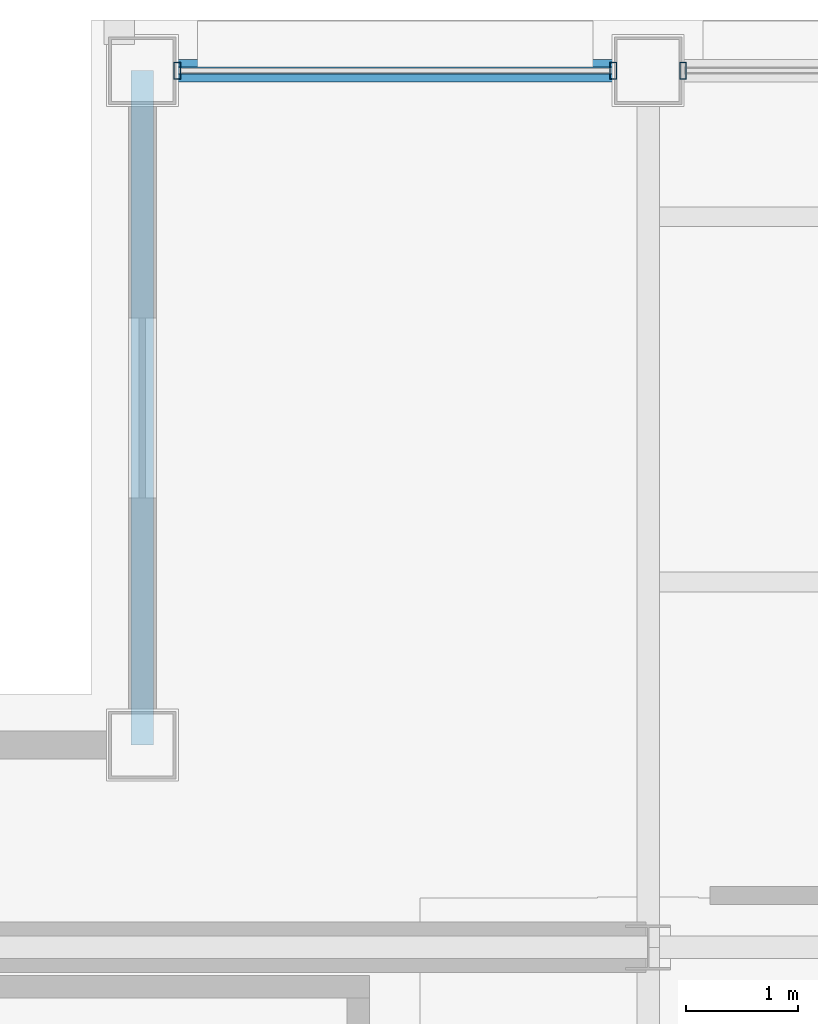
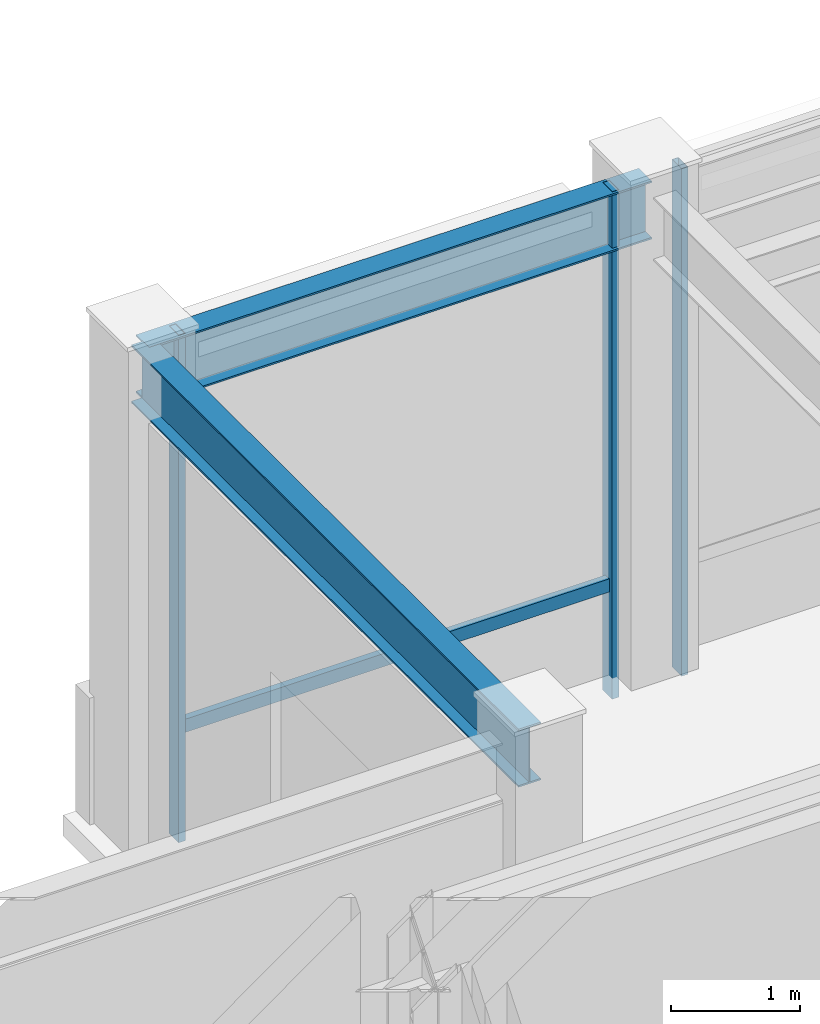
# One storey, part 13 of 21: 4 members, 2 beams, 2 elements without a shape of their own.
"""IFC4 building model written with IfcOpenShell, lengths in metres."""

from ifc_helpers import new_model, si_unit, direction, frame, origin, origin_2d, place, context, subcontext, project, spatial, hollow_rectangle, i_section, extrude, material, layer, layer_set, material_profile, profile_set, type_object, element, aggregate, save


model = new_model("IFC4")

# Units and contexts
model_context = context("Model", 3, precision=1e-05, world=origin(), true_north=direction((0.0, 1.0)))
body_context = subcontext(model_context, "Body", "Model", "MODEL_VIEW")
ifc_project = project(units=[si_unit("LENGTHUNIT", "METRE"), si_unit("AREAUNIT", "SQUARE_METRE"), si_unit("VOLUMEUNIT", "CUBIC_METRE"), si_unit("PLANEANGLEUNIT", "RADIAN"), si_unit("MASSUNIT", "GRAM", prefix="KILO")], contexts=[model_context])

# Site, building, storey
site_placement = place(None, origin())
site = spatial("IfcSite", under=ifc_project, at=site_placement, CompositionType="ELEMENT")
building_placement = place(site_placement, origin())
building = spatial("IfcBuilding", under=site, at=building_placement, Name="Brelmoor Portico Tower", CompositionType="ELEMENT")
storey_placement = place(building_placement, frame((0.0, 0.0, 284.39990234375)))
storey = spatial("IfcBuildingStorey", under=building, at=storey_placement, Name="L75", CompositionType="ELEMENT", Elevation=284.39990234375)

# Beams
ifc_material_1 = material(Name="Steel Q355B", Category="steel")
ifc_material_profile_1 = material_profile(ifc_material_1, i_section(OverallWidth=0.199951171875, OverallDepth=0.550048828125, WebThickness=0.010009765625, FlangeThickness=0.01611328125, at=origin_2d()), Name="HN 550x200x10x16")
ifc_profile_set_1 = profile_set([ifc_material_profile_1], Name="Steel Q355B")
beam_type = type_object("IfcBeamType", Name="BM-SP-550", PredefinedType="SPANDREL", material=ifc_profile_set_1)
beam_1_placement = place(storey_placement, frame((-12.550048828125, 17.550048828125, 4.3251953125), z_axis=(1.0, 0.0, 0.0), x_axis=(0.0, 1.0, 0.0)))
element("IfcBeam", 1, at=beam_1_placement, inside=storey, type_object=beam_type, Name="L75 Perimeter Spandrel Beam SP-08", PredefinedType="SPANDREL", context=body_context, shape_type="SweptSolid", body=[
    extrude(i_section(OverallWidth=0.199951171875, OverallDepth=0.550048828125, WebThickness=0.010009765625, FlangeThickness=0.01611328125, at=origin_2d()), origin(), (0.0, 0.0, 1.0), 4.5),
])
beam_2_placement = place(storey_placement, frame((-12.550048828125, 11.550048828125, 4.3251953125), z_axis=(0.0, 1.0, 0.0), x_axis=(-1.0, 0.0, 0.0)))
element("IfcBeam", 2, at=beam_2_placement, inside=storey, type_object=beam_type, Name="L75 Perimeter Spandrel Beam SP-15", PredefinedType="SPANDREL", context=body_context, shape_type="SweptSolid", body=[
    extrude(i_section(OverallWidth=0.199951171875, OverallDepth=0.550048828125, WebThickness=0.010009765625, FlangeThickness=0.01611328125, at=origin_2d()), origin(), (0.0, 0.0, 1.0), 6.0),
])

# Curtain wall, members
ifc_material_2 = material(Name="Anodised Aluminium Alloy 6063-T6", Category="aluminium")
ifc_layer = layer(ifc_material_2, 0.179931640625)
ifc_layer_set = layer_set([ifc_layer], Name="Anodised Aluminium Alloy 6063-T6")
curtain_wall_type = type_object("IfcCurtainWallType", Name="CW-TOWER-Z4", PredefinedType="NOTDEFINED", material=ifc_layer_set)
curtain_wall_1_placement = place(storey_placement, origin())
curtain_wall_1 = element("IfcCurtainWall", 3, at=curtain_wall_1_placement, inside=storey, type_object=curtain_wall_type, Name="L75 Curtain Wall CW-L75-02-1", PredefinedType="NOTDEFINED")
ifc_material_profile_2 = material_profile(ifc_material_2, hollow_rectangle(XDim=0.06005859375, YDim=0.14990234375, WallThickness=0.00390625, at=origin_2d()), Name="ALU MULLION 60x150")
ifc_profile_set_2 = profile_set([ifc_material_profile_2], Name="Anodised Aluminium Alloy 6063-T6")
member_type_1 = type_object("IfcMemberType", Name="MB-CW-MULL-150", PredefinedType="MULLION", material=ifc_profile_set_2)
member_1_placement = place(storey_placement, frame((-12.239990234375, 17.550048828125, -0.199951171875), z_axis=(0.0, 0.0, 1.0), x_axis=(1.0, 0.0, 0.0)))
member_1 = element("IfcMember", 4, at=member_1_placement, type_object=member_type_1, Name="CW-L75-02-1 Mullion 00", PredefinedType="MULLION", context=body_context, shape_type="SweptSolid", body=[
    extrude(hollow_rectangle(XDim=0.06005859375, YDim=0.14990234375, WallThickness=0.00390625, at=origin_2d()), origin(), (0.0, 0.0, 1.0), 4.800048828125),
])
member_2_placement = place(storey_placement, frame((-8.360107421875, 17.550048828125, -0.199951171875), z_axis=(0.0, 0.0, 1.0), x_axis=(1.0, 0.0, 0.0)))
member_2 = element("IfcMember", 5, at=member_2_placement, type_object=member_type_1, Name="CW-L75-02-1 Mullion 01", PredefinedType="MULLION", context=body_context, shape_type="SweptSolid", body=[
    extrude(hollow_rectangle(XDim=0.06005859375, YDim=0.14990234375, WallThickness=0.00390625, at=origin_2d()), origin(), (0.0, 0.0, 1.0), 4.800048828125),
])

# Curtain wall, member
curtain_wall_2_placement = place(storey_placement, origin())
curtain_wall_2 = element("IfcCurtainWall", 6, at=curtain_wall_2_placement, inside=storey, type_object=curtain_wall_type, Name="L75 Curtain Wall CW-L75-02-2", PredefinedType="NOTDEFINED")
member_3_placement = place(storey_placement, frame((-7.739990234375, 17.550048828125, -0.199951171875), z_axis=(0.0, 0.0, 1.0), x_axis=(1.0, 0.0, 0.0)))
member_3 = element("IfcMember", 7, at=member_3_placement, type_object=member_type_1, Name="CW-L75-02-2 Mullion 00", PredefinedType="MULLION", context=body_context, shape_type="SweptSolid", body=[
    extrude(hollow_rectangle(XDim=0.06005859375, YDim=0.14990234375, WallThickness=0.00390625, at=origin_2d()), origin(), (0.0, 0.0, 1.0), 4.800048828125),
])
aggregate(curtain_wall_2, [member_3])

# Member
ifc_material_profile_3 = material_profile(ifc_material_2, hollow_rectangle(XDim=0.06005859375, YDim=0.125, WallThickness=0.00341796875, at=origin_2d()), Name="ALU TRANSOM 60x125")
ifc_profile_set_3 = profile_set([ifc_material_profile_3], Name="Anodised Aluminium Alloy 6063-T6")
member_type_2 = type_object("IfcMemberType", Name="MB-CW-TRAN-125", PredefinedType="USERDEFINED", material=ifc_profile_set_3)
member_4_placement = place(storey_placement, frame((-12.239990234375, 17.550048828125, 0.85009765625), z_axis=(1.0, 0.0, 0.0), x_axis=(0.0, 1.0, 0.0)))
member_4 = element("IfcMember", 8, at=member_4_placement, type_object=member_type_2, Name="CW-L75-02-1 Transom 1-00", ObjectType="TRANSOM", PredefinedType="USERDEFINED", context=body_context, shape_type="SweptSolid", body=[
    extrude(hollow_rectangle(XDim=0.06005859375, YDim=0.125, WallThickness=0.00341796875, at=origin_2d()), origin(), (0.0, 0.0, 1.0), 3.8798828125),
])

aggregate(curtain_wall_1, [member_1, member_2, member_4])

save(model, "model.ifc")
